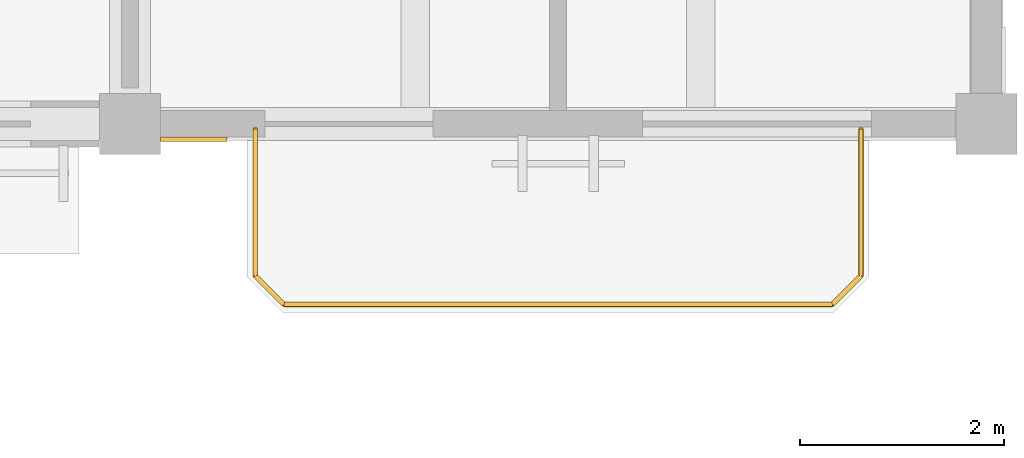
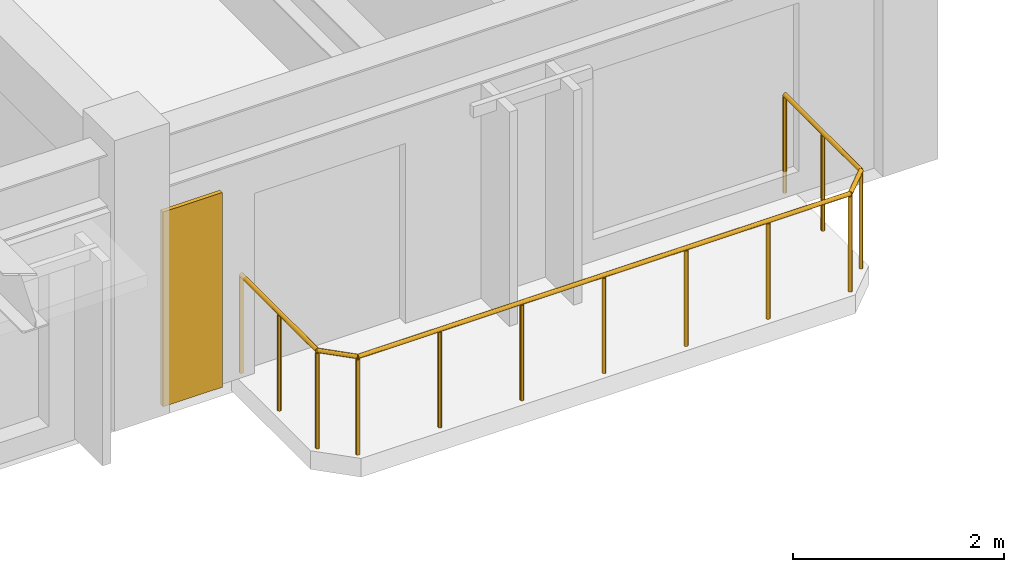
# One storey, part 18 of 22: 1 covering, 1 railing.
"""IFC4 building model written with IfcOpenShell, lengths in metres."""

from ifc_helpers import new_model, si_unit, direction, frame, origin, origin_2d, place, context, subcontext, project, spatial, polyline, circle, outline, extrude, material, layer, layer_set, type_object, element, save


model = new_model("IFC4")

# Units and contexts
model_context = context("Model", 3, precision=1e-05, world=origin(), true_north=direction((0.0, 1.0)))
body_context = subcontext(model_context, "Body", "Model", "MODEL_VIEW")
ifc_project = project(units=[si_unit("LENGTHUNIT", "METRE"), si_unit("AREAUNIT", "SQUARE_METRE"), si_unit("VOLUMEUNIT", "CUBIC_METRE"), si_unit("PLANEANGLEUNIT", "RADIAN"), si_unit("MASSUNIT", "GRAM", prefix="KILO")], contexts=[model_context])

# Site, building, storey
site_placement = place(None, origin())
site = spatial("IfcSite", under=ifc_project, at=site_placement, CompositionType="ELEMENT")
building_placement = place(site_placement, origin())
building = spatial("IfcBuilding", under=site, at=building_placement, Name="Cumbredor Promenade Congress Hotel", CompositionType="ELEMENT")
storey_placement = place(building_placement, frame((0.0, 0.0, 28.56005859375)))
storey = spatial("IfcBuildingStorey", under=building, at=storey_placement, Name="L08", CompositionType="ELEMENT", Elevation=28.56005859375)

# Covering
ifc_material_1 = material(Name="Precast concrete C40/50", Category="concrete")
ifc_layer = layer(ifc_material_1, 0.044921875, Name="Precast concrete C40/50", Category="concrete")
ifc_layer_set = layer_set([ifc_layer], Name="Precast concrete C40/50")
covering_type = type_object("IfcCoveringType", Name="Board-Formed Architectural Cladding Panel 45mm", PredefinedType="CLADDING", material=ifc_layer_set)
covering_placement = place(storey_placement, origin())
element("IfcCovering", 1, at=covering_placement, inside=storey, type_object=covering_type, Name="L08 Facade Stone Cladding Pier 234", PredefinedType="CLADDING", context=body_context, shape_type="SweptSolid", body=[
    extrude(outline(polyline([(59.10107421875, 92.27001953125), (59.7509765625, 92.27001953125), (59.7509765625, 92.22509765625), (59.10107421875, 92.22509765625), (59.10107421875, 92.27001953125)])), origin(), (0.0, 0.0, 1.0), 2.25),
])

# Railing
ifc_material_2 = material(Name="Brushed stainless steel", Category="steel")
railing_type = type_object("IfcRailingType", Name="Sky Garden Glass-and-Steel Balustrade BAL-1150", PredefinedType="BALUSTRADE", material=ifc_material_2)
railing_placement = place(storey_placement, frame((60.030029296875, 92.35009765625, 0.0)))
element("IfcRailing", 2, at=railing_placement, inside=storey, type_object=railing_type, Name="L08 Veranda Balcony Balustrade 052", PredefinedType="BALUSTRADE", context=body_context, shape_type="SweptSolid", body=[
    extrude(circle(Radius=0.02392578125, at=origin_2d()), frame((0.0, 0.0, 1.1259765625), z_axis=(0.0, -1.0, 0.0), x_axis=(1.0, 0.0, 0.0)), (0.0, 0.0, 1.0), 1.440185546875),
    extrude(circle(Radius=0.02392578125, at=origin_2d()), frame((0.0, -1.440185546875, 1.1259765625), z_axis=(0.707106781187, -0.707106781187, 0.0), x_axis=(0.707106781187, 0.707106781187, 0.0)), (0.0, 0.0, 1.0), 0.39599609375),
    extrude(circle(Radius=0.02392578125, at=origin_2d()), frame((0.280029296875, -1.72021484375, 1.1259765625), z_axis=(1.0, 0.0, 0.0), x_axis=(0.0, 1.0, 0.0)), (0.0, 0.0, 1.0), 5.3798828125),
    extrude(circle(Radius=0.02392578125, at=origin_2d()), frame((5.659912109375, -1.72021484375, 1.1259765625), z_axis=(0.707106781187, 0.707106781187, 0.0), x_axis=(-0.707106781187, 0.707106781187, 0.0)), (0.0, 0.0, 1.0), 0.39599609375),
    extrude(circle(Radius=0.02392578125, at=origin_2d()), frame((5.93994140625, -1.440185546875, 1.1259765625), z_axis=(0.0, 1.0, 0.0), x_axis=(-1.0, 0.0, 0.0)), (0.0, 0.0, 1.0), 1.440185546875),
    extrude(circle(Radius=0.02099609375, at=origin_2d()), origin(), (0.0, 0.0, 1.0), 1.101806640625),
    extrude(circle(Radius=0.02099609375, at=origin_2d()), frame((0.0, -0.72021484375, 0.0)), (0.0, 0.0, 1.0), 1.101806640625),
    extrude(circle(Radius=0.02099609375, at=origin_2d()), frame((0.0, -1.440185546875, 0.0)), (0.0, 0.0, 1.0), 1.101806640625),
    extrude(circle(Radius=0.02099609375, at=origin_2d()), frame((0.280029296875, -1.72021484375, 0.0)), (0.0, 0.0, 1.0), 1.101806640625),
    extrude(circle(Radius=0.02099609375, at=origin_2d()), frame((1.1767578125, -1.72021484375, 0.0)), (0.0, 0.0, 1.0), 1.101806640625),
    extrude(circle(Radius=0.02099609375, at=origin_2d()), frame((2.0732421875, -1.72021484375, 0.0)), (0.0, 0.0, 1.0), 1.101806640625),
    extrude(circle(Radius=0.02099609375, at=origin_2d()), frame((2.969970703125, -1.72021484375, 0.0)), (0.0, 0.0, 1.0), 1.101806640625),
    extrude(circle(Radius=0.02099609375, at=origin_2d()), frame((3.86669921875, -1.72021484375, 0.0)), (0.0, 0.0, 1.0), 1.101806640625),
    extrude(circle(Radius=0.02099609375, at=origin_2d()), frame((4.76318359375, -1.72021484375, 0.0)), (0.0, 0.0, 1.0), 1.101806640625),
    extrude(circle(Radius=0.02099609375, at=origin_2d()), frame((5.659912109375, -1.72021484375, 0.0)), (0.0, 0.0, 1.0), 1.101806640625),
    extrude(circle(Radius=0.02099609375, at=origin_2d()), frame((5.93994140625, -1.440185546875, 0.0)), (0.0, 0.0, 1.0), 1.101806640625),
    extrude(circle(Radius=0.02099609375, at=origin_2d()), frame((5.93994140625, -0.72021484375, 0.0)), (0.0, 0.0, 1.0), 1.101806640625),
    extrude(circle(Radius=0.02099609375, at=origin_2d()), frame((5.93994140625, 0.0, 0.0)), (0.0, 0.0, 1.0), 1.101806640625),
])

save(model, "model.ifc")
